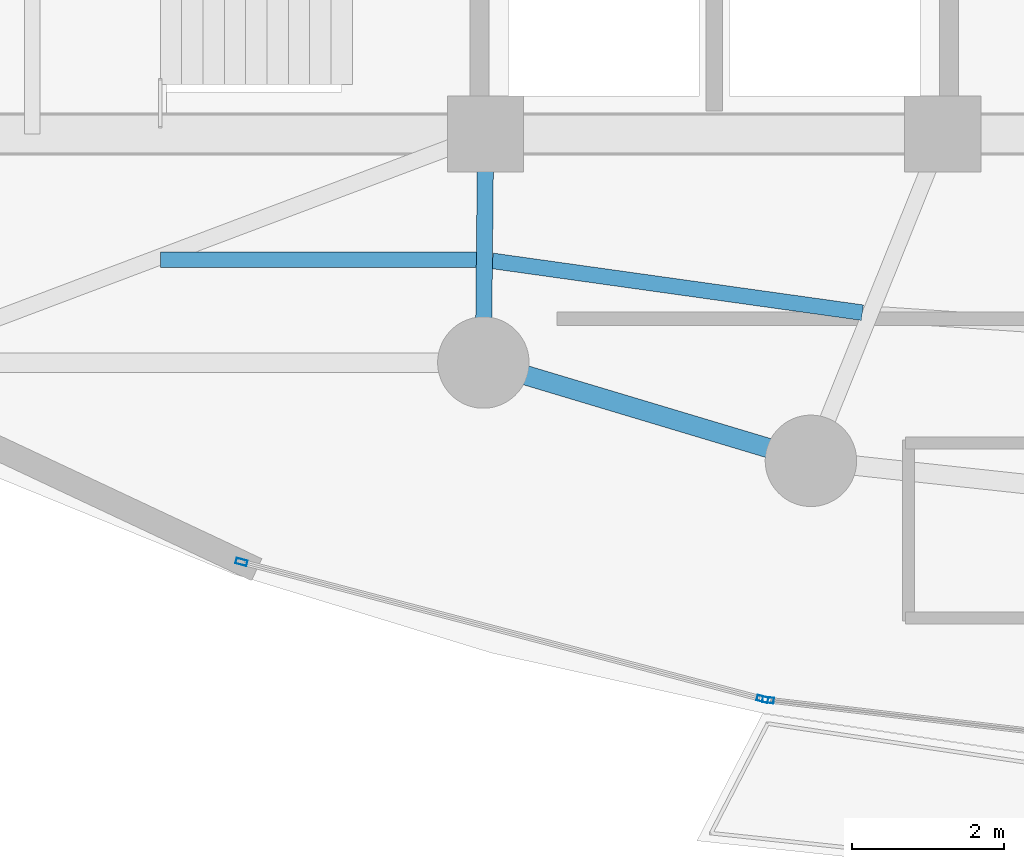
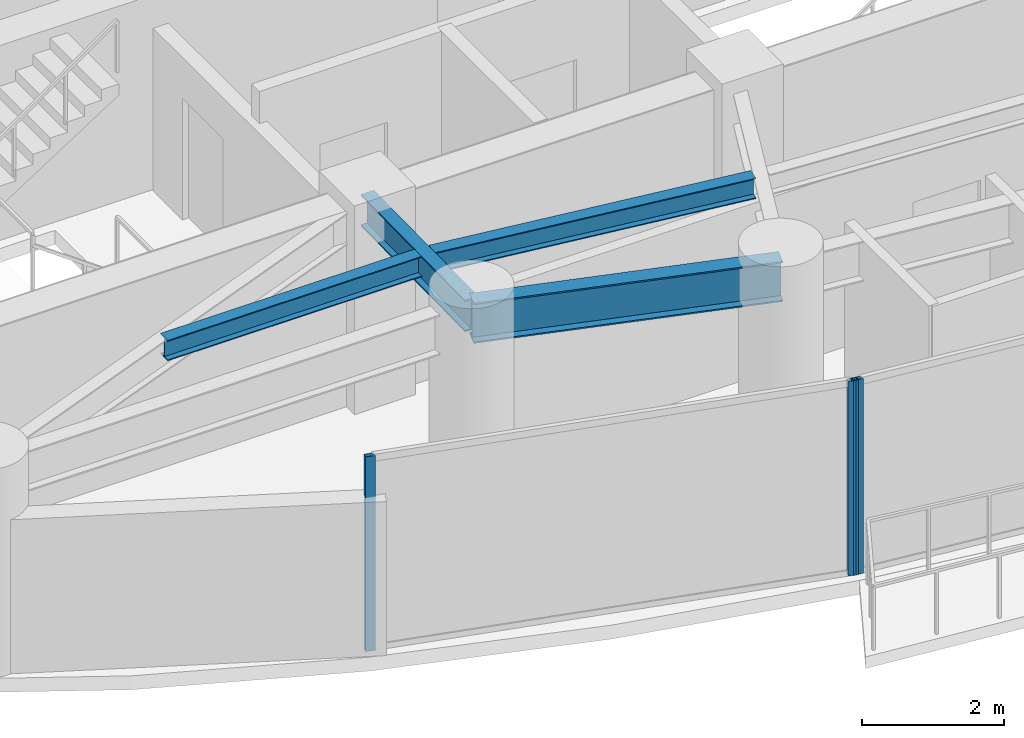
# One storey, part 5 of 33: 4 beams, 3 members, 2 elements without a shape of their own.
"""IFC4 building model written with IfcOpenShell, lengths in metres."""

import ifcopenshell
import ifcopenshell.guid

model = None  # the IFC model being written
_history = None  # IfcOwnerHistory: only IFC2X3 demands one
_inside = {}  # id of a spatial element -> (the spatial element, [elements in it])
_under = {}  # id of a project, library or spatial element -> (it, [spatial elements below it])
_declared = {}  # id of a project -> (the project, [libraries it declares])
_typed = {}  # id of a type object -> (the type object, [elements of that type])
_made_of = {}  # id of a material, layer set ... -> (it, [elements and type objects made of it])


def new_model(schema):
    """Start an empty IFC model of exactly this schema.

    Asked for "IFC4X3", IfcOpenShell would pick the latest addendum, in which some entities
    have other attributes; the version numbers below select the first issue.
    IFC2X3 requires an IfcOwnerHistory on every rooted entity: one is made here for all.
    """
    global model, _history
    if schema == "IFC4X3":
        model = ifcopenshell.file(schema_version=(4, 3, 0, 0))
    else:
        model = ifcopenshell.file(schema=schema)
    _inside.clear()
    _under.clear()
    _declared.clear()
    _typed.clear()
    _made_of.clear()
    _history = None
    if model.schema == "IFC2X3":
        org = make("IfcOrganization", Name="unknown")
        user = make(
            "IfcPersonAndOrganization",
            ThePerson=make("IfcPerson", FamilyName="unknown"),
            TheOrganization=org,
        )
        app = make(
            "IfcApplication",
            ApplicationDeveloper=org,
            Version="unknown",
            ApplicationFullName="unknown",
            ApplicationIdentifier="unknown",
        )
        _history = make(
            "IfcOwnerHistory",
            OwningUser=user,
            OwningApplication=app,
            ChangeAction="ADDED",
            CreationDate=0,
        )
    return model


def make(cls, **values):
    """One entity of the class cls with the attributes given. An attribute that is None is left unset."""
    return model.create_entity(
        cls, **{name: value for name, value in values.items() if value is not None}
    )


def rooted(cls, **values):
    """An entity with a GlobalId (a new one), such as an element, a storey or a relation."""
    return make(cls, GlobalId=ifcopenshell.guid.new(), OwnerHistory=_history, **values)


def si_unit(unit_type, name, prefix=None):
    """IfcSIUnit, for example si_unit("LENGTHUNIT", "METRE", prefix="MILLI")."""
    return make("IfcSIUnit", UnitType=unit_type, Prefix=prefix, Name=name)


def assignment(units):
    """IfcUnitAssignment: the units of a project."""
    return None if units is None else make("IfcUnitAssignment", Units=units)


def point(xyz):
    """IfcCartesianPoint."""
    return None if xyz is None else make("IfcCartesianPoint", Coordinates=xyz)


def direction(xyz):
    """IfcDirection."""
    return None if xyz is None else make("IfcDirection", DirectionRatios=xyz)


def frame(location, z_axis=None, x_axis=None):
    """IfcAxis2Placement3D, a coordinate frame: its origin and axes. An axis left out is left unset."""
    return make(
        "IfcAxis2Placement3D",
        Location=point(location),
        Axis=direction(z_axis),
        RefDirection=direction(x_axis),
    )


def frame_2d(location, x_axis=None):
    """IfcAxis2Placement2D, a coordinate frame in the plane: its origin and x axis."""
    return make(
        "IfcAxis2Placement2D", Location=point(location), RefDirection=direction(x_axis)
    )


def origin():
    """The frame at (0, 0, 0) with its axes left unset."""
    return frame((0.0, 0.0, 0.0))


def origin_2d():
    """The frame at (0, 0) in the plane with its x axis left unset."""
    return frame_2d((0.0, 0.0))


def place(relative_to, where):
    """IfcLocalPlacement: puts the frame where relative to a parent placement (None: the world)."""
    return make(
        "IfcLocalPlacement", PlacementRelTo=relative_to, RelativePlacement=where
    )


def context(
    kind, dimensions, precision=None, world=None, true_north=None, identifier=None
):
    """IfcGeometricRepresentationContext, for example the 3D "Model" context."""
    return make(
        "IfcGeometricRepresentationContext",
        ContextIdentifier=identifier,
        ContextType=kind,
        CoordinateSpaceDimension=dimensions,
        Precision=precision,
        WorldCoordinateSystem=world,
        TrueNorth=true_north,
    )


def subcontext(parent, identifier, kind, view, scale=None):
    """IfcGeometricRepresentationSubContext, for example "Body" below "Model"."""
    return make(
        "IfcGeometricRepresentationSubContext",
        ContextIdentifier=identifier,
        ContextType=kind,
        ParentContext=parent,
        TargetScale=scale,
        TargetView=view,
    )


def project(units=None, contexts=None):
    """IfcProject with its units and contexts."""
    return rooted(
        "IfcProject",
        Name="project",
        RepresentationContexts=contexts,
        UnitsInContext=assignment(units),
    )


def spatial(cls, under=None, at=None, **own):
    """A site, building, storey or space (cls), placed at a placement, below another one or the project."""
    s = rooted(cls, ObjectPlacement=at, **own)
    if under is not None:
        _under.setdefault(under.id(), (under, []))[1].append(s)
    return s


def profile(cls, at=None, kind="AREA", **sizes):
    """A parametric profile (cls). Its sizes go by their IFC names, for example OverallWidth=200.0."""
    return make(cls, ProfileType=kind, Position=at, **sizes)


def hollow_rectangle(**sizes):
    """IfcRectangleHollowProfileDef."""
    return profile("IfcRectangleHollowProfileDef", **sizes)


def i_section(**sizes):
    """IfcIShapeProfileDef."""
    return profile("IfcIShapeProfileDef", **sizes)


def extrude(swept, where, along, depth):
    """IfcExtrudedAreaSolid: the profile swept, set in the frame where, extruded along a direction by depth."""
    return make(
        "IfcExtrudedAreaSolid",
        SweptArea=swept,
        Position=where,
        ExtrudedDirection=direction(along),
        Depth=depth,
    )


def shape(context_of_items, identifier, shape_type, items):
    """IfcShapeRepresentation: the items that make up one representation, for example the "Body"."""
    return make(
        "IfcShapeRepresentation",
        ContextOfItems=context_of_items,
        RepresentationIdentifier=identifier,
        RepresentationType=shape_type,
        Items=items,
    )


def material(Name=None, Category=None):
    """IfcMaterial."""
    return make("IfcMaterial", Name=Name, Category=Category)


def layer(
    of_material, thickness, ventilated=None, Name=None, Category=None, Priority=None
):
    """IfcMaterialLayer: one layer of a wall or slab, of a material (None: an air gap)."""
    return make(
        "IfcMaterialLayer",
        Material=of_material,
        LayerThickness=thickness,
        IsVentilated=ventilated,
        Name=Name,
        Category=Category,
        Priority=Priority,
    )


def layer_set(layers, Name=None):
    """IfcMaterialLayerSet."""
    return make("IfcMaterialLayerSet", MaterialLayers=layers, LayerSetName=Name)


def material_profile(
    of_material, cross_section, Name=None, Category=None, Priority=None
):
    """IfcMaterialProfile: a cross section and its material."""
    return make(
        "IfcMaterialProfile",
        Name=Name,
        Material=of_material,
        Profile=cross_section,
        Priority=Priority,
        Category=Category,
    )


def profile_set(profiles, Name=None, composite=None):
    """IfcMaterialProfileSet."""
    return make(
        "IfcMaterialProfileSet",
        Name=Name,
        MaterialProfiles=profiles,
        CompositeProfile=composite,
    )


def made_of(thing, what):
    """Note that an element or type object is made of a material, layer set ...; save() writes the relation."""
    if what is not None:
        _made_of.setdefault(what.id(), (what, []))[1].append(thing)
    return thing


def type_object(cls, material=None, **own):
    """A type object (cls), such as IfcWallType, which elements share."""
    return made_of(rooted(cls, **own), material)


def element(
    cls,
    number,
    at=None,
    inside=None,
    cuts=None,
    type_object=None,
    material=None,
    context=None,
    identifier="Body",
    shape_type=None,
    held_by="IfcProductDefinitionShape",
    body=None,
    shapes=None,
    **own,
):
    """One element of the class cls, such as IfcWall. Its Tag is "e" and its number.

    at: its placement. inside: the storey or other place that contains it. cuts: it is an
    opening in that element (IfcRelVoidsElement). A single representation is given by context,
    identifier, shape_type and body (its items); several are given by shapes. held_by: the class
    of the entity that holds the representations. save() writes the other relations.
    """
    e = rooted(cls, Tag="e%d" % number, ObjectPlacement=at, **own)
    if body is not None:
        shapes = [shape(context, identifier, shape_type, body)]
    if shapes is not None:
        e.Representation = make(held_by, Representations=shapes)
    if inside is not None:
        _inside.setdefault(inside.id(), (inside, []))[1].append(e)
    if cuts is not None:
        rooted(
            "IfcRelVoidsElement", RelatingBuildingElement=cuts, RelatedOpeningElement=e
        )
    if type_object is not None:
        _typed.setdefault(type_object.id(), (type_object, []))[1].append(e)
    return made_of(e, material)


def aggregate(whole, parts):
    """IfcRelAggregates: a whole, such as a stair, and the parts it consists of."""
    return rooted("IfcRelAggregates", RelatingObject=whole, RelatedObjects=parts)


def save(model, path):
    """Write the relations noted so far, then the file.

    IfcRelAggregates (storeys below a building ...), IfcRelContainedInSpatialStructure (elements
    in a storey), IfcRelDefinesByType, IfcRelAssociatesMaterial and IfcRelDeclares: one each for
    every whole, place, type object, material and project.
    """
    for whole, parts in _under.values():
        aggregate(whole, parts)
    for where, things in _inside.values():
        rooted(
            "IfcRelContainedInSpatialStructure",
            RelatedElements=things,
            RelatingStructure=where,
        )
    for kind, things in _typed.values():
        rooted("IfcRelDefinesByType", RelatedObjects=things, RelatingType=kind)
    for what, things in _made_of.values():
        rooted("IfcRelAssociatesMaterial", RelatedObjects=things, RelatingMaterial=what)
    for by, libraries in _declared.values():
        rooted("IfcRelDeclares", RelatingContext=by, RelatedDefinitions=libraries)
    model.write(path)


model = new_model("IFC4")

# Units and contexts
model_context = context("Model", 3, precision=1e-05, world=origin(), true_north=direction((0.0, 1.0)))
body_context = subcontext(model_context, "Body", "Model", "MODEL_VIEW")
ifc_project = project(units=[si_unit("LENGTHUNIT", "METRE"), si_unit("AREAUNIT", "SQUARE_METRE"), si_unit("VOLUMEUNIT", "CUBIC_METRE"), si_unit("PLANEANGLEUNIT", "RADIAN"), si_unit("MASSUNIT", "GRAM", prefix="KILO")], contexts=[model_context])

# Site, building, storey
site_placement = place(None, origin())
site = spatial("IfcSite", under=ifc_project, at=site_placement, CompositionType="ELEMENT")
building_placement = place(site_placement, origin())
building = spatial("IfcBuilding", under=site, at=building_placement, Name="Kazevale Care Tower and Concert Hall", CompositionType="ELEMENT")
storey_placement = place(building_placement, frame((0.0, 0.0, 145.800048828125)))
storey = spatial("IfcBuildingStorey", under=building, at=storey_placement, Name="L38", CompositionType="ELEMENT", Elevation=145.800048828125)

# Curtain wall, member
ifc_material_1 = material(Name="Aluminium 6063-T6 and Low-E Glass", Category="aluminium")
ifc_layer = layer(ifc_material_1, 0.179931640625)
ifc_layer_set = layer_set([ifc_layer], Name="Aluminium 6063-T6 and Low-E Glass")
curtain_wall_type = type_object("IfcCurtainWallType", Name="Sheltered Concave Balcony Curtain Wall CW-5", PredefinedType="NOTDEFINED", material=ifc_layer_set)
curtain_wall_1_placement = place(storey_placement, origin())
curtain_wall_1 = element("IfcCurtainWall", 1, at=curtain_wall_1_placement, inside=storey, type_object=curtain_wall_type, Name="cw:L38:f07", PredefinedType="NOTDEFINED")
ifc_material_2 = material(Name="Aluminium 6063-T6", Category="aluminium")
ifc_material_profile_1 = material_profile(ifc_material_2, hollow_rectangle(XDim=0.074951171875, YDim=0.14990234375, WallThickness=0.00390625, at=origin_2d()), Name="ALU75x150x4")
ifc_profile_set_1 = profile_set([ifc_material_profile_1], Name="Aluminium 6063-T6")
member_type = type_object("IfcMemberType", Name="CW-5 Mullion ALU75x150x4", PredefinedType="MULLION", material=ifc_profile_set_1)
member_1_placement = place(storey_placement, frame((33.708251953125, 16.169677734375, 0.0), z_axis=(0.0, 0.0, 1.0), x_axis=(-0.117372179238, -0.993087997884, 0.0)))
member_1 = element("IfcMember", 2, at=member_1_placement, type_object=member_type, Name="CW-5 mullion 2", PredefinedType="MULLION", context=body_context, shape_type="SweptSolid", body=[
    extrude(hollow_rectangle(XDim=0.074951171875, YDim=0.14990234375, WallThickness=0.00390625, at=origin_2d()), origin(), (0.0, 0.0, 1.0), 3.35986328125),
])
aggregate(curtain_wall_1, [member_1])

# Curtain wall, members
curtain_wall_2_placement = place(storey_placement, origin())
curtain_wall_2 = element("IfcCurtainWall", 3, at=curtain_wall_2_placement, inside=storey, type_object=curtain_wall_type, Name="cw:L38:f08", PredefinedType="NOTDEFINED")
member_2_placement = place(storey_placement, frame((33.634765625, 16.18359375, 0.0), z_axis=(0.0, 0.0, 1.0), x_axis=(-0.254238458229, -0.967141564797, 0.0)))
member_2 = element("IfcMember", 4, at=member_2_placement, type_object=member_type, Name="CW-5 mullion 1", PredefinedType="MULLION", context=body_context, shape_type="SweptSolid", body=[
    extrude(hollow_rectangle(XDim=0.074951171875, YDim=0.14990234375, WallThickness=0.00390625, at=origin_2d()), origin(), (0.0, 0.0, 1.0), 3.35986328125),
])
member_3_placement = place(storey_placement, frame((26.795166015625, 17.9814453125, 0.0), z_axis=(0.0, 0.0, 1.0), x_axis=(-0.254238458229, -0.967141564797, 0.0)))
member_3 = element("IfcMember", 5, at=member_3_placement, type_object=member_type, Name="CW-5 mullion 2", PredefinedType="MULLION", context=body_context, shape_type="SweptSolid", body=[
    extrude(hollow_rectangle(XDim=0.074951171875, YDim=0.14990234375, WallThickness=0.00390625, at=origin_2d()), origin(), (0.0, 0.0, 1.0), 3.35986328125),
])
aggregate(curtain_wall_2, [member_2, member_3])

# Beams
ifc_material_3 = material(Name="Steel ASTM A572 Gr 50", Category="steel")
ifc_material_profile_2 = material_profile(ifc_material_3, i_section(OverallWidth=0.2119140625, OverallDepth=0.5439453125, WebThickness=0.01318359375, FlangeThickness=0.021240234375, at=origin_2d()), Name="W530x123")
ifc_profile_set_2 = profile_set([ifc_material_profile_2], Name="Steel ASTM A572 Gr 50")
beam_type_1 = type_object("IfcBeamType", Name="Radial Floor Girder W530x123", PredefinedType="BEAM", material=ifc_profile_set_2)
beam_1_placement = place(storey_placement, frame((30.0, 23.60009765625, 3.087890625), z_axis=(-0.010009264196, -0.99994990606, 0.0), x_axis=(0.99994990606, -0.010009264196, 0.0)))
element("IfcBeam", 6, at=beam_1_placement, inside=storey, type_object=beam_type_1, Name="beam:L38:rad:11", PredefinedType="BEAM", context=body_context, shape_type="SweptSolid", body=[
    extrude(i_section(OverallWidth=0.2119140625, OverallDepth=0.5439453125, WebThickness=0.01318359375, FlangeThickness=0.021240234375, at=origin_2d()), origin(), (0.0, 0.0, 1.0), 3.000244140625),
])
ifc_material_profile_3 = material_profile(ifc_material_3, i_section(OverallWidth=0.205078125, OverallDepth=0.35400390625, WebThickness=0.009521484375, FlangeThickness=0.016845703125, at=origin_2d()), Name="W360x79")
ifc_profile_set_3 = profile_set([ifc_material_profile_3], Name="Steel ASTM A572 Gr 50")
beam_type_2 = type_object("IfcBeamType", Name="Secondary Floor Joist W360x79", PredefinedType="JOIST", material=ifc_profile_set_3)
beam_2_placement = place(storey_placement, frame((25.73291015625, 21.949951171875, 3.182861328125), z_axis=(1.0, 0.0, 0.0), x_axis=(0.0, 1.0, 0.0)))
element("IfcBeam", 7, at=beam_2_placement, inside=storey, type_object=beam_type_2, Name="beam:L38:joist:10", PredefinedType="JOIST", context=body_context, shape_type="SweptSolid", body=[
    extrude(i_section(OverallWidth=0.205078125, OverallDepth=0.35400390625, WebThickness=0.009521484375, FlangeThickness=0.016845703125, at=origin_2d()), origin(), (0.0, 0.0, 1.0), 4.14501953125),
])
beam_3_placement = place(storey_placement, frame((30.0869140625, 21.93505859375, 3.182861328125), z_axis=(0.990340789942, -0.138654678164, 0.0), x_axis=(0.138654678164, 0.990340789942, 0.0)))
element("IfcBeam", 8, at=beam_3_placement, inside=storey, type_object=beam_type_2, Name="beam:L38:joist:11", PredefinedType="JOIST", context=body_context, shape_type="SweptSolid", body=[
    extrude(i_section(OverallWidth=0.205078125, OverallDepth=0.35400390625, WebThickness=0.009521484375, FlangeThickness=0.016845703125, at=origin_2d()), origin(), (0.0, 0.0, 1.0), 4.905517578125),
])
ifc_material_profile_4 = material_profile(ifc_material_3, i_section(OverallWidth=0.256103515625, OverallDepth=0.693115234375, WebThickness=0.014404296875, FlangeThickness=0.023681640625, at=origin_2d()), Name="W690x170")
ifc_profile_set_4 = profile_set([ifc_material_profile_4], Name="Steel ASTM A572 Gr 50")
beam_type_3 = type_object("IfcBeamType", Name="Waist Ring Beam W690x170", PredefinedType="BEAM", material=ifc_profile_set_4)
beam_4_placement = place(storey_placement, frame((29.969970703125, 20.60009765625, 3.013427734375), z_axis=(0.957824788464, -0.287352874709, 0.0), x_axis=(0.287352874709, 0.957824788464, 0.0)))
element("IfcBeam", 9, at=beam_4_placement, inside=storey, type_object=beam_type_3, Name="beam:L38:ring:11", PredefinedType="BEAM", context=body_context, shape_type="SweptSolid", body=[
    extrude(i_section(OverallWidth=0.256103515625, OverallDepth=0.693115234375, WebThickness=0.014404296875, FlangeThickness=0.023681640625, at=origin_2d()), origin(), (0.0, 0.0, 1.0), 4.489501953125),
])

save(model, "model.ifc")
